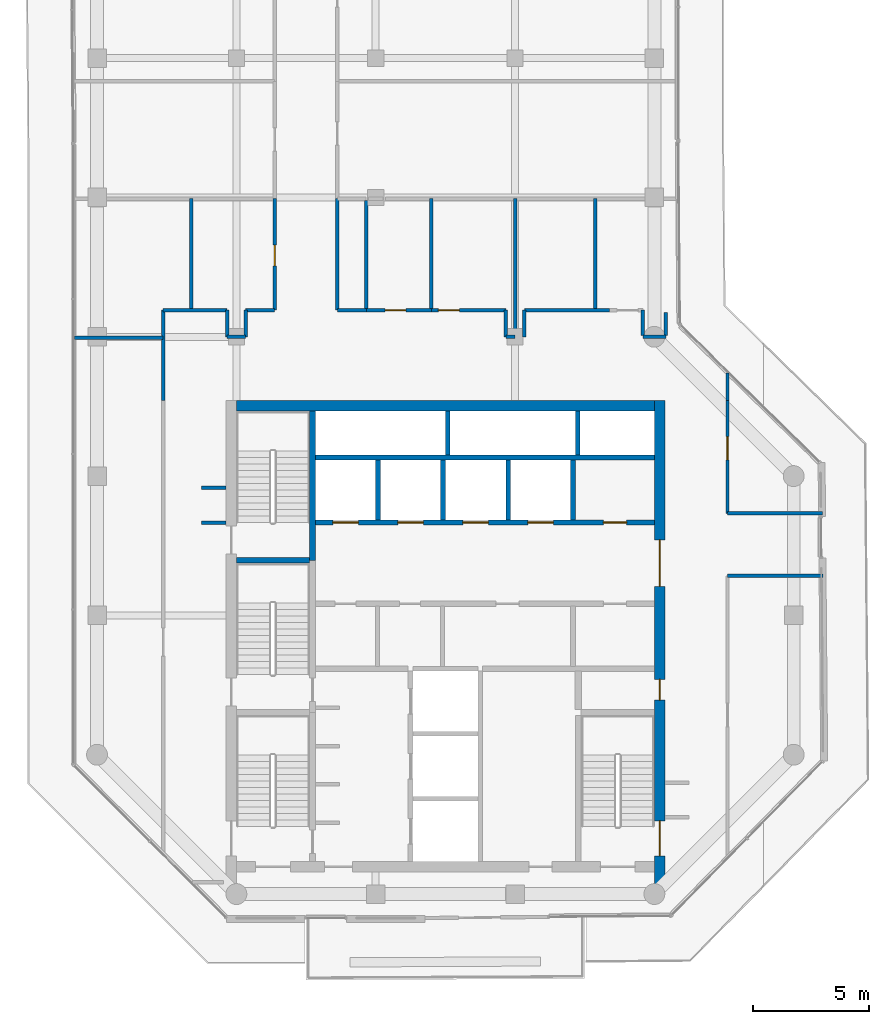
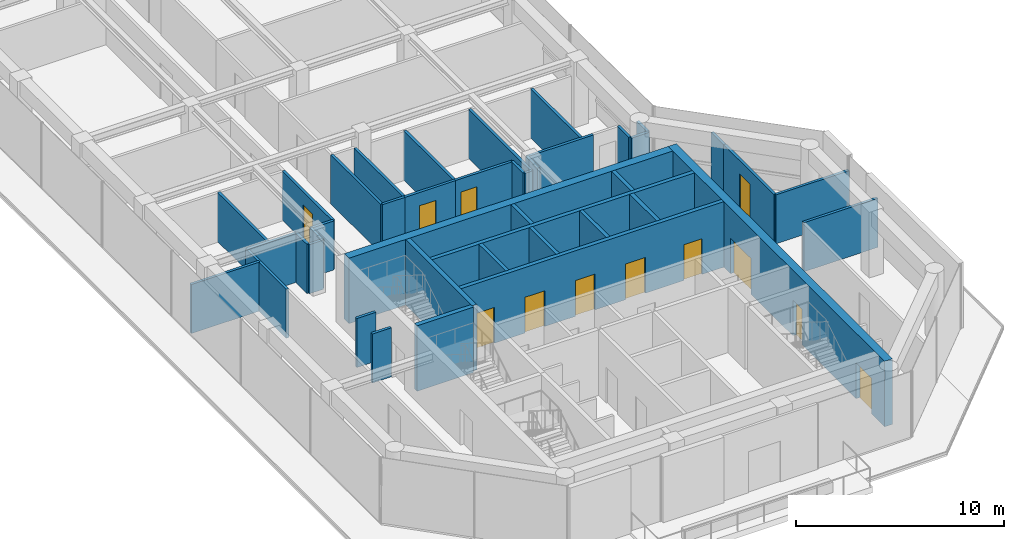
# One storey, part 15 of 19: 42 walls, 12 doors, 12 openings.
"""IFC4 building model written with IfcOpenShell, lengths in metres."""

from ifc_helpers import new_model, si_unit, direction, frame, frame_2d, origin, place, context, subcontext, project, spatial, rectangle, extrude, material, layer, layer_set, type_object, element, fill, save


model = new_model("IFC4")

# Units and contexts
model_context = context("Model", 3, precision=1e-05, world=origin(), true_north=direction((0.0, 1.0)))
body_context = subcontext(model_context, "Body", "Model", "MODEL_VIEW")
ifc_project = project(units=[si_unit("LENGTHUNIT", "METRE"), si_unit("AREAUNIT", "SQUARE_METRE"), si_unit("VOLUMEUNIT", "CUBIC_METRE"), si_unit("PLANEANGLEUNIT", "RADIAN"), si_unit("MASSUNIT", "GRAM", prefix="KILO")], contexts=[model_context])

# Site, building, storey
site_placement = place(None, origin())
site = spatial("IfcSite", under=ifc_project, at=site_placement, CompositionType="ELEMENT")
building_placement = place(site_placement, origin())
building = spatial("IfcBuilding", under=site, at=building_placement, Name="Welwitschia Terrace Campus", CompositionType="ELEMENT")
storey_placement = place(building_placement, frame((0.0, 0.0, 226.39990234375)))
storey = spatial("IfcBuildingStorey", under=building, at=storey_placement, Name="L50", CompositionType="ELEMENT", Elevation=226.39990234375)

# Wall, openings, doors
ifc_material_1 = material(Name="Concrete C32/40", Category="concrete")
ifc_layer_1 = layer(ifc_material_1, 0.22509765625)
ifc_layer_set_1 = layer_set([ifc_layer_1], Name="Concrete C32/40")
wall_type_1 = type_object("IfcWallType", Name="Core partition 225 Concrete C32/40", PredefinedType="PARTITIONING", material=ifc_layer_set_1)
wall_1_placement = place(storey_placement, frame((24.0, 20.0, 0.0), z_axis=(0.0, 0.0, 1.0), x_axis=(-1.0, 0.0, 0.0)))
wall_1 = element("IfcWall", 1, at=wall_1_placement, inside=storey, type_object=wall_type_1, Name="Shaft wall", PredefinedType="PARTITIONING", context=body_context, shape_type="SweptSolid", body=[
    extrude(rectangle(XDim=14.60009765625, YDim=0.22509765625, at=frame_2d((7.300048828125, 0.0))), origin(), (0.0, 0.0, 1.0), 3.85009765625),
])
opening_1_placement = place(wall_1_placement, frame((12.75, 0.0, 0.0)))
opening_1 = element("IfcOpeningElement", 2, at=opening_1_placement, cuts=wall_1, Name="Opening LD", PredefinedType="OPENING", context=body_context, shape_type="SweptSolid", body=[
    extrude(rectangle(XDim=1.10009765625, YDim=2.10009765625, at=frame_2d((0.550048828125, 1.050048828125))), frame((0.0, 0.12255859375, 0.0), z_axis=(0.0, -1.0, 0.0), x_axis=(1.0, 0.0, 0.0)), (0.0, 0.0, 1.0), 0.2451171875),
])
opening_2_placement = place(wall_1_placement, frame((9.949951171875, 0.0, 0.0)))
opening_2 = element("IfcOpeningElement", 3, at=opening_2_placement, cuts=wall_1, Name="Opening LD", PredefinedType="OPENING", context=body_context, shape_type="SweptSolid", body=[
    extrude(rectangle(XDim=1.10009765625, YDim=2.10009765625, at=frame_2d((0.550048828125, 1.050048828125))), frame((0.0, 0.12255859375, 0.0), z_axis=(0.0, -1.0, 0.0), x_axis=(1.0, 0.0, 0.0)), (0.0, 0.0, 1.0), 0.2451171875),
])
opening_3_placement = place(wall_1_placement, frame((7.14990234375, 0.0, 0.0)))
opening_3 = element("IfcOpeningElement", 4, at=opening_3_placement, cuts=wall_1, Name="Opening LD", PredefinedType="OPENING", context=body_context, shape_type="SweptSolid", body=[
    extrude(rectangle(XDim=1.10009765625, YDim=2.10009765625, at=frame_2d((0.550048828125, 1.050048828125))), frame((0.0, 0.12255859375, 0.0), z_axis=(0.0, -1.0, 0.0), x_axis=(1.0, 0.0, 0.0)), (0.0, 0.0, 1.0), 0.2451171875),
])
opening_4_placement = place(wall_1_placement, frame((4.35009765625, 0.0, 0.0)))
opening_4 = element("IfcOpeningElement", 5, at=opening_4_placement, cuts=wall_1, Name="Opening LD", PredefinedType="OPENING", context=body_context, shape_type="SweptSolid", body=[
    extrude(rectangle(XDim=1.10009765625, YDim=2.10009765625, at=frame_2d((0.550048828125, 1.050048828125))), frame((0.0, 0.12255859375, 0.0), z_axis=(0.0, -1.0, 0.0), x_axis=(1.0, 0.0, 0.0)), (0.0, 0.0, 1.0), 0.2451171875),
])
opening_5_placement = place(wall_1_placement, frame((1.199951171875, 0.0, 0.0)))
opening_5 = element("IfcOpeningElement", 6, at=opening_5_placement, cuts=wall_1, Name="Opening DR10", PredefinedType="OPENING", context=body_context, shape_type="SweptSolid", body=[
    extrude(rectangle(XDim=1.0, YDim=2.10009765625, at=frame_2d((0.5, 1.050048828125))), frame((0.0, 0.12255859375, 0.0), z_axis=(0.0, -1.0, 0.0), x_axis=(1.0, 0.0, 0.0)), (0.0, 0.0, 1.0), 0.2451171875),
])
ifc_material_2 = material(Name="Steel S275", Category="steel")
door_type_1 = type_object("IfcDoorType", Name="Core door DR10", OperationType="SINGLE_SWING_LEFT", PredefinedType="DOOR", material=ifc_material_2)
door_1_placement = place(opening_5_placement, origin())
door_1 = element("IfcDoor", 7, at=door_1_placement, inside=storey, type_object=door_type_1, Name="Door EH-D", OperationType="SINGLE_SWING_LEFT", OverallHeight=2.10009765625, OverallWidth=1.0, PredefinedType="DOOR", context=body_context, shape_type="SweptSolid", body=[
    extrude(rectangle(XDim=1.0, YDim=2.10009765625, at=frame_2d((0.5, 1.050048828125))), frame((0.0, 0.02490234375, 0.0), z_axis=(0.0, -1.0, 0.0), x_axis=(1.0, 0.0, 0.0)), (0.0, 0.0, 1.0), 0.050048828125),
])
fill(opening_5, door_1)
ifc_material_3 = material(Name="Stainless steel 304", Category="steel")
door_type_2 = type_object("IfcDoorType", Name="Lift landing door", OperationType="DOUBLE_DOOR_SLIDING", PredefinedType="DOOR", material=ifc_material_3)
door_2_placement = place(opening_1_placement, origin())
door_2 = element("IfcDoor", 8, at=door_2_placement, inside=storey, type_object=door_type_2, Name="Landing door HR1", OperationType="DOUBLE_DOOR_SLIDING", OverallHeight=2.10009765625, OverallWidth=1.10009765625, PredefinedType="DOOR", context=body_context, shape_type="SweptSolid", body=[
    extrude(rectangle(XDim=1.10009765625, YDim=2.10009765625, at=frame_2d((0.550048828125, 1.050048828125))), frame((0.0, 0.02490234375, 0.0), z_axis=(0.0, -1.0, 0.0), x_axis=(1.0, 0.0, 0.0)), (0.0, 0.0, 1.0), 0.050048828125),
])
fill(opening_1, door_2)
door_3_placement = place(opening_2_placement, origin())
door_3 = element("IfcDoor", 9, at=door_3_placement, inside=storey, type_object=door_type_2, Name="Landing door HR2", OperationType="DOUBLE_DOOR_SLIDING", OverallHeight=2.10009765625, OverallWidth=1.10009765625, PredefinedType="DOOR", context=body_context, shape_type="SweptSolid", body=[
    extrude(rectangle(XDim=1.10009765625, YDim=2.10009765625, at=frame_2d((0.550048828125, 1.050048828125))), frame((0.0, 0.02490234375, 0.0), z_axis=(0.0, -1.0, 0.0), x_axis=(1.0, 0.0, 0.0)), (0.0, 0.0, 1.0), 0.050048828125),
])
fill(opening_2, door_3)
door_4_placement = place(opening_3_placement, origin())
door_4 = element("IfcDoor", 10, at=door_4_placement, inside=storey, type_object=door_type_2, Name="Landing door HR3", OperationType="DOUBLE_DOOR_SLIDING", OverallHeight=2.10009765625, OverallWidth=1.10009765625, PredefinedType="DOOR", context=body_context, shape_type="SweptSolid", body=[
    extrude(rectangle(XDim=1.10009765625, YDim=2.10009765625, at=frame_2d((0.550048828125, 1.050048828125))), frame((0.0, 0.02490234375, 0.0), z_axis=(0.0, -1.0, 0.0), x_axis=(1.0, 0.0, 0.0)), (0.0, 0.0, 1.0), 0.050048828125),
])
fill(opening_3, door_4)
door_5_placement = place(opening_4_placement, origin())
door_5 = element("IfcDoor", 11, at=door_5_placement, inside=storey, type_object=door_type_2, Name="Landing door HR4", OperationType="DOUBLE_DOOR_SLIDING", OverallHeight=2.10009765625, OverallWidth=1.10009765625, PredefinedType="DOOR", context=body_context, shape_type="SweptSolid", body=[
    extrude(rectangle(XDim=1.10009765625, YDim=2.10009765625, at=frame_2d((0.550048828125, 1.050048828125))), frame((0.0, 0.02490234375, 0.0), z_axis=(0.0, -1.0, 0.0), x_axis=(1.0, 0.0, 0.0)), (0.0, 0.0, 1.0), 0.050048828125),
])
fill(opening_4, door_5)

# Walls
wall_2_placement = place(storey_placement, frame((9.39990234375, 22.800048828125, 0.0), z_axis=(0.0, 0.0, 1.0), x_axis=(1.0, 0.0, 0.0)))
element("IfcWall", 12, at=wall_2_placement, inside=storey, type_object=wall_type_1, Name="Shaft wall", PredefinedType="PARTITIONING", context=body_context, shape_type="SweptSolid", body=[
    extrude(rectangle(XDim=14.60009765625, YDim=0.22509765625, at=frame_2d((7.300048828125, 0.0))), origin(), (0.0, 0.0, 1.0), 3.85009765625),
])
wall_3_placement = place(storey_placement, frame((20.5, 20.10009765625, 0.0), z_axis=(0.0, 0.0, 1.0), x_axis=(0.0, 1.0, 0.0)))
element("IfcWall", 13, at=wall_3_placement, inside=storey, type_object=wall_type_1, Name="Shaft wall", PredefinedType="PARTITIONING", context=body_context, shape_type="SweptSolid", body=[
    extrude(rectangle(XDim=2.599853515625, YDim=0.22509765625, at=frame_2d((1.2998046875, 0.0))), origin(), (0.0, 0.0, 1.0), 3.85009765625),
])
ifc_material_4 = material(Name="Concrete C50/60", Category="concrete")
ifc_layer_2 = layer(ifc_material_4, 0.199951171875)
ifc_layer_set_2 = layer_set([ifc_layer_2], Name="Concrete C50/60")
wall_type_2 = type_object("IfcWallType", Name="Core wall 200 Concrete C50/60", PredefinedType="SHEAR", material=ifc_layer_set_2)
for number, where, z_axis, x_axis, name in (
    (14, (15.10009765625, 22.89990234375, 0.0), (0.0, 0.0, 1.0), (0.0, 1.0, 0.0), "Core wall"),
    (15, (20.699951171875, 22.89990234375, 0.0), (0.0, 0.0, 1.0), (0.0, 1.0, 0.0), "Core wall"),
):
    element("IfcWall", number, at=place(storey_placement, frame(where, z_axis=z_axis, x_axis=x_axis)), inside=storey, type_object=wall_type_2, Name=name, PredefinedType="SHEAR", context=body_context, shape_type="SweptSolid", body=[
        extrude(rectangle(XDim=1.900146484375, YDim=0.199951171875, at=frame_2d((0.9501953125, 0.0))), origin(), (0.0, 0.0, 1.0), 3.85009765625),
    ])
ifc_material_5 = material(Name="Concrete C50/60", Category="concrete")
ifc_layer_3 = layer(ifc_material_5, 0.25)
ifc_layer_set_3 = layer_set([ifc_layer_3], Name="Concrete C50/60")
wall_type_3 = type_object("IfcWallType", Name="Core wall 250 Concrete C50/60", PredefinedType="SHEAR", material=ifc_layer_set_3)
wall_4_placement = place(storey_placement, frame((6.0, 18.375, 0.0), z_axis=(0.0, 0.0, 1.0), x_axis=(1.0, 0.0, 0.0)))
element("IfcWall", 16, at=wall_4_placement, inside=storey, type_object=wall_type_3, Name="Core wall", PredefinedType="SHEAR", context=body_context, shape_type="SweptSolid", body=[
    extrude(rectangle(XDim=3.14990234375, YDim=0.25, at=frame_2d((1.574951171875, 0.0))), origin(), (0.0, 0.0, 1.0), 3.85009765625),
])
wall_5_placement = place(storey_placement, frame((9.27490234375, 18.375, 0.0), z_axis=(0.0, 0.0, 1.0), x_axis=(0.0, 1.0, 0.0)))
element("IfcWall", 17, at=wall_5_placement, inside=storey, type_object=wall_type_3, Name="Core wall", PredefinedType="SHEAR", context=body_context, shape_type="SweptSolid", body=[
    extrude(rectangle(XDim=6.425048828125, YDim=0.25, at=frame_2d((3.21240234375, 0.0))), origin(), (0.0, 0.0, 1.0), 3.85009765625),
])

# Wall, openings, doors
ifc_material_6 = material(Name="Concrete C60/75", Category="concrete")
ifc_layer_4 = layer(ifc_material_6, 0.449951171875)
ifc_layer_set_4 = layer_set([ifc_layer_4], Name="Concrete C60/75")
wall_type_4 = type_object("IfcWallType", Name="Core wall 450 Concrete C60/75", PredefinedType="SHEAR", material=ifc_layer_set_4)
wall_6_placement = place(storey_placement, frame((24.22509765625, 25.25, 0.0), z_axis=(0.0, 0.0, 1.0), x_axis=(0.0, -1.0, 0.0)))
wall_6 = element("IfcWall", 18, at=wall_6_placement, inside=storey, type_object=wall_type_4, Name="Core outer wall", PredefinedType="SHEAR", context=body_context, shape_type="SweptSolid", body=[
    extrude(rectangle(XDim=20.830078125, YDim=0.449951171875, at=frame_2d((10.4150390625, 0.0))), origin(), (0.0, 0.0, 1.0), 3.85009765625),
])
opening_6_placement = place(wall_6_placement, frame((18.10009765625, 0.0, 0.0)))
opening_6 = element("IfcOpeningElement", 19, at=opening_6_placement, cuts=wall_6, Name="Opening DS15", PredefinedType="OPENING", context=body_context, shape_type="SweptSolid", body=[
    extrude(rectangle(XDim=1.5, YDim=2.10009765625, at=frame_2d((0.75, 1.050048828125))), frame((0.0, 0.23486328125, 0.0), z_axis=(0.0, -1.0, 0.0), x_axis=(1.0, 0.0, 0.0)), (0.0, 0.0, 1.0), 0.469970703125),
])
opening_7_placement = place(wall_6_placement, frame((12.0, 0.0, 0.0)))
opening_7 = element("IfcOpeningElement", 20, at=opening_7_placement, cuts=wall_6, Name="Opening DR09", PredefinedType="OPENING", context=body_context, shape_type="SweptSolid", body=[
    extrude(rectangle(XDim=0.89990234375, YDim=2.10009765625, at=frame_2d((0.449951171875, 1.050048828125))), frame((0.0, 0.23486328125, 0.0), z_axis=(0.0, -1.0, 0.0), x_axis=(1.0, 0.0, 0.0)), (0.0, 0.0, 1.0), 0.469970703125),
])
opening_8_placement = place(wall_6_placement, frame((6.0, 0.0, 0.0)))
opening_8 = element("IfcOpeningElement", 21, at=opening_8_placement, cuts=wall_6, Name="Opening DL20", PredefinedType="OPENING", context=body_context, shape_type="SweptSolid", body=[
    extrude(rectangle(XDim=2.0, YDim=2.10009765625, at=frame_2d((1.0, 1.050048828125))), frame((0.0, 0.23486328125, 0.0), z_axis=(0.0, -1.0, 0.0), x_axis=(1.0, 0.0, 0.0)), (0.0, 0.0, 1.0), 0.469970703125),
])
ifc_material_7 = material(Name="Steel S275", Category="steel")
door_type_3 = type_object("IfcDoorType", Name="Core door DL20", OperationType="DOUBLE_DOOR_SINGLE_SWING", PredefinedType="DOOR", material=ifc_material_7)
door_6_placement = place(opening_8_placement, origin())
door_6 = element("IfcDoor", 22, at=door_6_placement, inside=storey, type_object=door_type_3, Name="Door LOBBY-out", OperationType="DOUBLE_DOOR_SINGLE_SWING", OverallHeight=2.10009765625, OverallWidth=2.0, PredefinedType="DOOR", context=body_context, shape_type="SweptSolid", body=[
    extrude(rectangle(XDim=2.0, YDim=2.10009765625, at=frame_2d((1.0, 1.050048828125))), frame((0.0, 0.02490234375, 0.0), z_axis=(0.0, -1.0, 0.0), x_axis=(1.0, 0.0, 0.0)), (0.0, 0.0, 1.0), 0.050048828125),
])
fill(opening_8, door_6)
ifc_material_8 = material(Name="Steel S275", Category="steel")
door_type_4 = type_object("IfcDoorType", Name="Core door DR09", OperationType="SINGLE_SWING_LEFT", PredefinedType="DOOR", material=ifc_material_8)
door_7_placement = place(opening_7_placement, origin())
door_7 = element("IfcDoor", 23, at=door_7_placement, inside=storey, type_object=door_type_4, Name="Door F1B-out", OperationType="SINGLE_SWING_RIGHT", OverallHeight=2.10009765625, OverallWidth=0.89990234375, PredefinedType="DOOR", context=body_context, shape_type="SweptSolid", body=[
    extrude(rectangle(XDim=0.89990234375, YDim=2.10009765625, at=frame_2d((0.449951171875, 1.050048828125))), frame((0.0, 0.02490234375, 0.0), z_axis=(0.0, -1.0, 0.0), x_axis=(1.0, 0.0, 0.0)), (0.0, 0.0, 1.0), 0.050048828125),
])
fill(opening_7, door_7)
ifc_material_9 = material(Name="Steel S275", Category="steel")
door_type_5 = type_object("IfcDoorType", Name="Core door DS15", OperationType="DOUBLE_DOOR_SINGLE_SWING", PredefinedType="DOOR", material=ifc_material_9)
door_8_placement = place(opening_6_placement, origin())
door_8 = element("IfcDoor", 24, at=door_8_placement, inside=storey, type_object=door_type_5, Name="Door S2-out", OperationType="DOUBLE_DOOR_SINGLE_SWING", OverallHeight=2.10009765625, OverallWidth=1.5, PredefinedType="DOOR", context=body_context, shape_type="SweptSolid", body=[
    extrude(rectangle(XDim=1.5, YDim=2.10009765625, at=frame_2d((0.75, 1.050048828125))), frame((0.0, 0.02490234375, 0.0), z_axis=(0.0, -1.0, 0.0), x_axis=(1.0, 0.0, 0.0)), (0.0, 0.0, 1.0), 0.050048828125),
])
fill(opening_6, door_8)

# Walls
wall_7_placement = place(storey_placement, frame((6.0, 25.02490234375, 0.0), z_axis=(0.0, 0.0, 1.0), x_axis=(1.0, 0.0, 0.0)))
element("IfcWall", 25, at=wall_7_placement, inside=storey, type_object=wall_type_4, Name="Core outer wall", PredefinedType="SHEAR", context=body_context, shape_type="SweptSolid", body=[
    extrude(rectangle(XDim=18.0, YDim=0.449951171875, at=frame_2d((9.0, 0.0))), origin(), (0.0, 0.0, 1.0), 3.85009765625),
])
ifc_material_10 = material(Name="Gypsum board on steel studs", Category="steel")
ifc_layer_5 = layer(ifc_material_10, 0.14990234375)
ifc_layer_set_5 = layer_set([ifc_layer_5], Name="Gypsum board on steel studs")
wall_type_5 = type_object("IfcWallType", Name="Corridor partition 150 EI 30", PredefinedType="PARTITIONING", material=ifc_layer_set_5)
wall_8_placement = place(storey_placement, frame((-0.97998046875, 27.949951171875, 0.0), z_axis=(0.0, 0.0, 1.0), x_axis=(1.0, 0.0, 0.0)))
element("IfcWall", 26, at=wall_8_placement, inside=storey, type_object=wall_type_5, Name="Partition", PredefinedType="PARTITIONING", context=body_context, shape_type="SweptSolid", body=[
    extrude(rectangle(XDim=3.830078125, YDim=0.14990234375, at=frame_2d((1.9150390625, 0.0))), origin(), (0.0, 0.0, 1.0), 2.880126953125),
])
wall_9_placement = place(storey_placement, frame((2.85009765625, 25.25, 0.0), z_axis=(0.0, 0.0, 1.0), x_axis=(0.0, 1.0, 0.0)))
element("IfcWall", 27, at=wall_9_placement, inside=storey, type_object=wall_type_5, Name="Partition", PredefinedType="PARTITIONING", context=body_context, shape_type="SweptSolid", body=[
    extrude(rectangle(XDim=3.89990234375, YDim=0.14990234375, at=frame_2d((1.949951171875, 0.0))), origin(), (0.0, 0.0, 1.0), 2.880126953125),
])
wall_10_placement = place(storey_placement, frame((2.85009765625, 29.14990234375, 0.0), z_axis=(0.0, 0.0, 1.0), x_axis=(1.0, 0.0, 0.0)))
element("IfcWall", 28, at=wall_10_placement, inside=storey, type_object=wall_type_5, Name="Partition", PredefinedType="PARTITIONING", context=body_context, shape_type="SweptSolid", body=[
    extrude(rectangle(XDim=2.75, YDim=0.14990234375, at=frame_2d((1.375, 0.0))), origin(), (0.0, 0.0, 1.0), 2.880126953125),
])
wall_11_placement = place(storey_placement, frame((4.050048828125, 29.14990234375, 0.0), z_axis=(0.0, 0.0, 1.0), x_axis=(0.0, 1.0, 0.0)))
element("IfcWall", 29, at=wall_11_placement, inside=storey, type_object=wall_type_5, Name="Partition", PredefinedType="PARTITIONING", context=body_context, shape_type="SweptSolid", body=[
    extrude(rectangle(XDim=4.800048828125, YDim=0.14990234375, at=frame_2d((2.39990234375, 0.0))), origin(), (0.0, 0.0, 1.0), 2.880126953125),
])
for number, where, z_axis, x_axis, name in (
    (30, (4.5, 20.0, 0.0), (0.0, 0.0, 1.0), (1.0, 0.0, 0.0), "Partition"),
    (31, (4.5, 21.5, 0.0), (0.0, 0.0, 1.0), (1.0, 0.0, 0.0), "Partition"),
):
    element("IfcWall", number, at=place(storey_placement, frame(where, z_axis=z_axis, x_axis=x_axis)), inside=storey, type_object=wall_type_5, Name=name, PredefinedType="PARTITIONING", context=body_context, shape_type="SweptSolid", body=[
        extrude(rectangle(XDim=1.050048828125, YDim=0.14990234375, at=frame_2d((0.52490234375, 0.0))), origin(), (0.0, 0.0, 1.0), 2.880126953125),
    ])
wall_12_placement = place(storey_placement, frame((5.60009765625, 28.0, 0.0), z_axis=(0.0, 0.0, 1.0), x_axis=(0.0, 1.0, 0.0)))
element("IfcWall", 32, at=wall_12_placement, inside=storey, type_object=wall_type_5, Name="Partition", PredefinedType="PARTITIONING", context=body_context, shape_type="SweptSolid", body=[
    extrude(rectangle(XDim=1.14990234375, YDim=0.14990234375, at=frame_2d((0.574951171875, 0.0))), origin(), (0.0, 0.0, 1.0), 2.880126953125),
])
wall_13_placement = place(storey_placement, frame((5.60009765625, 28.0, 0.0), z_axis=(0.0, 0.0, 1.0), x_axis=(1.0, 0.0, 0.0)))
element("IfcWall", 33, at=wall_13_placement, inside=storey, type_object=wall_type_5, Name="Partition", PredefinedType="PARTITIONING", context=body_context, shape_type="SweptSolid", body=[
    extrude(rectangle(XDim=0.7998046875, YDim=0.14990234375, at=frame_2d((0.39990234375, 0.0))), origin(), (0.0, 0.0, 1.0), 2.880126953125),
])
wall_14_placement = place(storey_placement, frame((6.39990234375, 28.0, 0.0), z_axis=(0.0, 0.0, 1.0), x_axis=(0.0, 1.0, 0.0)))
element("IfcWall", 34, at=wall_14_placement, inside=storey, type_object=wall_type_5, Name="Partition", PredefinedType="PARTITIONING", context=body_context, shape_type="SweptSolid", body=[
    extrude(rectangle(XDim=1.14990234375, YDim=0.14990234375, at=frame_2d((0.574951171875, 0.0))), origin(), (0.0, 0.0, 1.0), 2.880126953125),
])
wall_15_placement = place(storey_placement, frame((6.39990234375, 29.14990234375, 0.0), z_axis=(0.0, 0.0, 1.0), x_axis=(1.0, 0.0, 0.0)))
element("IfcWall", 35, at=wall_15_placement, inside=storey, type_object=wall_type_5, Name="Partition", PredefinedType="PARTITIONING", context=body_context, shape_type="SweptSolid", body=[
    extrude(rectangle(XDim=1.25, YDim=0.14990234375, at=frame_2d((0.625, 0.0))), origin(), (0.0, 0.0, 1.0), 2.880126953125),
])

# Wall, opening, door
wall_16_placement = place(storey_placement, frame((7.64990234375, 29.14990234375, 0.0), z_axis=(0.0, 0.0, 1.0), x_axis=(0.0, 1.0, 0.0)))
wall_16 = element("IfcWall", 36, at=wall_16_placement, inside=storey, type_object=wall_type_5, Name="Partition", PredefinedType="PARTITIONING", context=body_context, shape_type="SweptSolid", body=[
    extrude(rectangle(XDim=4.800048828125, YDim=0.14990234375, at=frame_2d((2.39990234375, 0.0))), origin(), (0.0, 0.0, 1.0), 2.880126953125),
])
opening_9_placement = place(wall_16_placement, frame((1.89990234375, 0.0, 0.0)))
opening_9 = element("IfcOpeningElement", 37, at=opening_9_placement, cuts=wall_16, Name="Opening DI09", PredefinedType="OPENING", context=body_context, shape_type="SweptSolid", body=[
    extrude(rectangle(XDim=0.89990234375, YDim=2.10009765625, at=frame_2d((0.449951171875, 1.050048828125))), frame((0.0, 0.0849609375, 0.0), z_axis=(0.0, -1.0, 0.0), x_axis=(1.0, 0.0, 0.0)), (0.0, 0.0, 1.0), 0.169921875),
])
ifc_material_11 = material(Name="Timber veneered door", Category="wood")
door_type_6 = type_object("IfcDoorType", Name="Interior door DI09", OperationType="NOTDEFINED", PredefinedType="DOOR", material=ifc_material_11)
door_9_placement = place(opening_9_placement, origin())
door_9 = element("IfcDoor", 38, at=door_9_placement, inside=storey, type_object=door_type_6, Name="Door L50 932", OperationType="SINGLE_SWING_LEFT", OverallHeight=2.10009765625, OverallWidth=0.89990234375, PredefinedType="DOOR", context=body_context, shape_type="SweptSolid", body=[
    extrude(rectangle(XDim=0.89990234375, YDim=2.10009765625, at=frame_2d((0.449951171875, 1.050048828125))), frame((0.0, 0.02490234375, 0.0), z_axis=(0.0, -1.0, 0.0), x_axis=(1.0, 0.0, 0.0)), (0.0, 0.0, 1.0), 0.050048828125),
])
fill(opening_9, door_9)

# Walls
wall_17_placement = place(storey_placement, frame((10.35009765625, 29.14990234375, 0.0), z_axis=(0.0, 0.0, 1.0), x_axis=(0.0, 1.0, 0.0)))
element("IfcWall", 39, at=wall_17_placement, inside=storey, type_object=wall_type_5, Name="Partition", PredefinedType="PARTITIONING", context=body_context, shape_type="SweptSolid", body=[
    extrude(rectangle(XDim=4.800048828125, YDim=0.14990234375, at=frame_2d((2.39990234375, 0.0))), origin(), (0.0, 0.0, 1.0), 2.880126953125),
])
wall_18_placement = place(storey_placement, frame((10.35009765625, 29.14990234375, 0.0), z_axis=(0.0, 0.0, 1.0), x_axis=(1.0, 0.0, 0.0)))
element("IfcWall", 40, at=wall_18_placement, inside=storey, type_object=wall_type_5, Name="Partition", PredefinedType="PARTITIONING", context=body_context, shape_type="SweptSolid", body=[
    extrude(rectangle(XDim=1.25, YDim=0.14990234375, at=frame_2d((0.625, 0.0))), origin(), (0.0, 0.0, 1.0), 2.880126953125),
])
wall_19_placement = place(storey_placement, frame((11.60009765625, 29.14990234375, 0.0), z_axis=(0.0, 0.0, 1.0), x_axis=(0.0, 1.0, 0.0)))
element("IfcWall", 41, at=wall_19_placement, inside=storey, type_object=wall_type_5, Name="Partition", PredefinedType="PARTITIONING", context=body_context, shape_type="SweptSolid", body=[
    extrude(rectangle(XDim=4.72021484375, YDim=0.14990234375, at=frame_2d((2.360107421875, 0.0))), origin(), (0.0, 0.0, 1.0), 2.880126953125),
])

# Wall, opening, door
wall_20_placement = place(storey_placement, frame((11.60009765625, 29.14990234375, 0.0), z_axis=(0.0, 0.0, 1.0), x_axis=(1.0, 0.0, 0.0)))
wall_20 = element("IfcWall", 42, at=wall_20_placement, inside=storey, type_object=wall_type_5, Name="Partition", PredefinedType="PARTITIONING", context=body_context, shape_type="SweptSolid", body=[
    extrude(rectangle(XDim=2.7998046875, YDim=0.14990234375, at=frame_2d((1.39990234375, 0.0))), origin(), (0.0, 0.0, 1.0), 2.880126953125),
])
opening_10_placement = place(wall_20_placement, frame((0.800048828125, 0.0, 0.0)))
opening_10 = element("IfcOpeningElement", 43, at=opening_10_placement, cuts=wall_20, Name="Opening DI09", PredefinedType="OPENING", context=body_context, shape_type="SweptSolid", body=[
    extrude(rectangle(XDim=0.89990234375, YDim=2.10009765625, at=frame_2d((0.449951171875, 1.050048828125))), frame((0.0, 0.0849609375, 0.0), z_axis=(0.0, -1.0, 0.0), x_axis=(1.0, 0.0, 0.0)), (0.0, 0.0, 1.0), 0.169921875),
])
door_10_placement = place(opening_10_placement, origin())
door_10 = element("IfcDoor", 44, at=door_10_placement, inside=storey, type_object=door_type_6, Name="Door L50 943", OperationType="SINGLE_SWING_RIGHT", OverallHeight=2.10009765625, OverallWidth=0.89990234375, PredefinedType="DOOR", context=body_context, shape_type="SweptSolid", body=[
    extrude(rectangle(XDim=0.89990234375, YDim=2.10009765625, at=frame_2d((0.449951171875, 1.050048828125))), frame((0.0, 0.02490234375, 0.0), z_axis=(0.0, -1.0, 0.0), x_axis=(1.0, 0.0, 0.0)), (0.0, 0.0, 1.0), 0.050048828125),
])
fill(opening_10, door_10)

# Wall
wall_21_placement = place(storey_placement, frame((14.39990234375, 29.14990234375, 0.0), z_axis=(0.0, 0.0, 1.0), x_axis=(0.0, 1.0, 0.0)))
element("IfcWall", 45, at=wall_21_placement, inside=storey, type_object=wall_type_5, Name="Partition", PredefinedType="PARTITIONING", context=body_context, shape_type="SweptSolid", body=[
    extrude(rectangle(XDim=4.800048828125, YDim=0.14990234375, at=frame_2d((2.39990234375, 0.0))), origin(), (0.0, 0.0, 1.0), 2.880126953125),
])

# Wall, opening, door
wall_22_placement = place(storey_placement, frame((14.39990234375, 29.14990234375, 0.0), z_axis=(0.0, 0.0, 1.0), x_axis=(1.0, 0.0, 0.0)))
wall_22 = element("IfcWall", 46, at=wall_22_placement, inside=storey, type_object=wall_type_5, Name="Partition", PredefinedType="PARTITIONING", context=body_context, shape_type="SweptSolid", body=[
    extrude(rectangle(XDim=3.2001953125, YDim=0.14990234375, at=frame_2d((1.60009765625, 0.0))), origin(), (0.0, 0.0, 1.0), 2.880126953125),
])
opening_11_placement = place(wall_22_placement, frame((0.300048828125, 0.0, 0.0)))
opening_11 = element("IfcOpeningElement", 47, at=opening_11_placement, cuts=wall_22, Name="Opening DI09", PredefinedType="OPENING", context=body_context, shape_type="SweptSolid", body=[
    extrude(rectangle(XDim=0.89990234375, YDim=2.10009765625, at=frame_2d((0.449951171875, 1.050048828125))), frame((0.0, 0.0849609375, 0.0), z_axis=(0.0, -1.0, 0.0), x_axis=(1.0, 0.0, 0.0)), (0.0, 0.0, 1.0), 0.169921875),
])
door_11_placement = place(opening_11_placement, origin())
door_11 = element("IfcDoor", 48, at=door_11_placement, inside=storey, type_object=door_type_6, Name="Door L50 944", OperationType="SINGLE_SWING_LEFT", OverallHeight=2.10009765625, OverallWidth=0.89990234375, PredefinedType="DOOR", context=body_context, shape_type="SweptSolid", body=[
    extrude(rectangle(XDim=0.89990234375, YDim=2.10009765625, at=frame_2d((0.449951171875, 1.050048828125))), frame((0.0, 0.02490234375, 0.0), z_axis=(0.0, -1.0, 0.0), x_axis=(1.0, 0.0, 0.0)), (0.0, 0.0, 1.0), 0.050048828125),
])
fill(opening_11, door_11)

# Walls
wall_23_placement = place(storey_placement, frame((17.60009765625, 28.0, 0.0), z_axis=(0.0, 0.0, 1.0), x_axis=(0.0, 1.0, 0.0)))
element("IfcWall", 49, at=wall_23_placement, inside=storey, type_object=wall_type_5, Name="Partition", PredefinedType="PARTITIONING", context=body_context, shape_type="SweptSolid", body=[
    extrude(rectangle(XDim=1.14990234375, YDim=0.14990234375, at=frame_2d((0.574951171875, 0.0))), origin(), (0.0, 0.0, 1.0), 2.880126953125),
])
wall_24_placement = place(storey_placement, frame((17.60009765625, 28.0, 0.0), z_axis=(0.0, 0.0, 1.0), x_axis=(1.0, 0.0, 0.0)))
element("IfcWall", 50, at=wall_24_placement, inside=storey, type_object=wall_type_5, Name="Partition", PredefinedType="PARTITIONING", context=body_context, shape_type="SweptSolid", body=[
    extrude(rectangle(XDim=0.39990234375, YDim=0.14990234375, at=frame_2d((0.199951171875, 0.0))), origin(), (0.0, 0.0, 1.0), 2.880126953125),
])
wall_25_placement = place(storey_placement, frame((18.0, 28.0, 0.0), z_axis=(0.0, 0.0, 1.0), x_axis=(0.0, 1.0, 0.0)))
element("IfcWall", 51, at=wall_25_placement, inside=storey, type_object=wall_type_5, Name="Partition", PredefinedType="PARTITIONING", context=body_context, shape_type="SweptSolid", body=[
    extrude(rectangle(XDim=5.949951171875, YDim=0.14990234375, at=frame_2d((2.97509765625, 0.0))), origin(), (0.0, 0.0, 1.0), 2.880126953125),
])
wall_26_placement = place(storey_placement, frame((18.39990234375, 28.0, 0.0), z_axis=(0.0, 0.0, 1.0), x_axis=(0.0, 1.0, 0.0)))
element("IfcWall", 52, at=wall_26_placement, inside=storey, type_object=wall_type_5, Name="Partition", PredefinedType="PARTITIONING", context=body_context, shape_type="SweptSolid", body=[
    extrude(rectangle(XDim=1.14990234375, YDim=0.14990234375, at=frame_2d((0.574951171875, 0.0))), origin(), (0.0, 0.0, 1.0), 2.880126953125),
])
wall_27_placement = place(storey_placement, frame((18.39990234375, 29.14990234375, 0.0), z_axis=(0.0, 0.0, 1.0), x_axis=(1.0, 0.0, 0.0)))
element("IfcWall", 53, at=wall_27_placement, inside=storey, type_object=wall_type_5, Name="Partition", PredefinedType="PARTITIONING", context=body_context, shape_type="SweptSolid", body=[
    extrude(rectangle(XDim=3.670166015625, YDim=0.14990234375, at=frame_2d((1.8349609375, 0.0))), origin(), (0.0, 0.0, 1.0), 2.880126953125),
])
wall_28_placement = place(storey_placement, frame((21.449951171875, 29.14990234375, 0.0), z_axis=(0.0, 0.0, 1.0), x_axis=(0.0, 1.0, 0.0)))
element("IfcWall", 54, at=wall_28_placement, inside=storey, type_object=wall_type_5, Name="Partition", PredefinedType="PARTITIONING", context=body_context, shape_type="SweptSolid", body=[
    extrude(rectangle(XDim=4.800048828125, YDim=0.14990234375, at=frame_2d((2.39990234375, 0.0))), origin(), (0.0, 0.0, 1.0), 2.880126953125),
])
wall_29_placement = place(storey_placement, frame((23.5, 28.0, 0.0), z_axis=(0.0, 0.0, 1.0), x_axis=(1.0, 0.0, 0.0)))
element("IfcWall", 55, at=wall_29_placement, inside=storey, type_object=wall_type_5, Name="Partition", PredefinedType="PARTITIONING", context=body_context, shape_type="SweptSolid", body=[
    extrude(rectangle(XDim=1.0, YDim=0.14990234375, at=frame_2d((0.5, 0.0))), origin(), (0.0, 0.0, 1.0), 2.880126953125),
])
wall_30_placement = place(storey_placement, frame((23.5, 28.050048828125, 0.0), z_axis=(0.0, 0.0, 1.0), x_axis=(0.0, 1.0, 0.0)))
element("IfcWall", 56, at=wall_30_placement, inside=storey, type_object=wall_type_5, Name="Partition", PredefinedType="PARTITIONING", context=body_context, shape_type="SweptSolid", body=[
    extrude(rectangle(XDim=1.099853515625, YDim=0.14990234375, at=frame_2d((0.5498046875, 0.0))), origin(), (0.0, 0.0, 1.0), 2.880126953125),
])
wall_31_placement = place(storey_placement, frame((24.5, 28.050048828125, 0.0), z_axis=(0.0, 0.0, 1.0), x_axis=(0.0, 1.0, 0.0)))
element("IfcWall", 57, at=wall_31_placement, inside=storey, type_object=wall_type_5, Name="Partition", PredefinedType="PARTITIONING", context=body_context, shape_type="SweptSolid", body=[
    extrude(rectangle(XDim=0.989990234375, YDim=0.14990234375, at=frame_2d((0.4951171875, 0.0))), origin(), (0.0, 0.0, 1.0), 2.880126953125),
])
wall_32_placement = place(storey_placement, frame((27.14990234375, 17.699951171875, 0.0), z_axis=(0.0, 0.0, 1.0), x_axis=(1.0, 0.0, 0.0)))
element("IfcWall", 58, at=wall_32_placement, inside=storey, type_object=wall_type_5, Name="Partition", PredefinedType="PARTITIONING", context=body_context, shape_type="SweptSolid", body=[
    extrude(rectangle(XDim=4.103759765625, YDim=0.14990234375, at=frame_2d((2.0517578125, 0.0))), origin(), (0.0, 0.0, 1.0), 2.880126953125),
])
wall_33_placement = place(storey_placement, frame((27.14990234375, 20.39990234375, 0.0), z_axis=(0.0, 0.0, 1.0), x_axis=(1.0, 0.0, 0.0)))
element("IfcWall", 59, at=wall_33_placement, inside=storey, type_object=wall_type_5, Name="Partition", PredefinedType="PARTITIONING", context=body_context, shape_type="SweptSolid", body=[
    extrude(rectangle(XDim=4.080322265625, YDim=0.14990234375, at=frame_2d((2.0400390625, 0.0))), origin(), (0.0, 0.0, 1.0), 2.880126953125),
])

# Wall, opening, door
wall_34_placement = place(storey_placement, frame((27.14990234375, 25.25, 0.0), z_axis=(0.0, 0.0, 1.0), x_axis=(0.0, -1.0, 0.0)))
wall_34 = element("IfcWall", 60, at=wall_34_placement, inside=storey, type_object=wall_type_5, Name="Partition", PredefinedType="PARTITIONING", context=body_context, shape_type="SweptSolid", body=[
    extrude(rectangle(XDim=4.85009765625, YDim=0.14990234375, at=frame_2d((2.425048828125, 0.0))), origin(), (0.0, 0.0, 1.0), 2.880126953125),
])
opening_12_placement = place(wall_34_placement, frame((1.550048828125, 0.0, 0.0)))
opening_12 = element("IfcOpeningElement", 61, at=opening_12_placement, cuts=wall_34, Name="Opening DI10", PredefinedType="OPENING", context=body_context, shape_type="SweptSolid", body=[
    extrude(rectangle(XDim=1.0, YDim=2.10009765625, at=frame_2d((0.5, 1.050048828125))), frame((0.0, 0.0849609375, 0.0), z_axis=(0.0, -1.0, 0.0), x_axis=(1.0, 0.0, 0.0)), (0.0, 0.0, 1.0), 0.169921875),
])
ifc_material_12 = material(Name="Timber veneered door", Category="wood")
door_type_7 = type_object("IfcDoorType", Name="Interior door DI10", OperationType="NOTDEFINED", PredefinedType="DOOR", material=ifc_material_12)
door_12_placement = place(opening_12_placement, origin())
door_12 = element("IfcDoor", 62, at=door_12_placement, inside=storey, type_object=door_type_7, Name="Door L50 947", OperationType="SINGLE_SWING_RIGHT", OverallHeight=2.10009765625, OverallWidth=1.0, PredefinedType="DOOR", context=body_context, shape_type="SweptSolid", body=[
    extrude(rectangle(XDim=1.0, YDim=2.10009765625, at=frame_2d((0.5, 1.050048828125))), frame((0.0, 0.02490234375, 0.0), z_axis=(0.0, -1.0, 0.0), x_axis=(1.0, 0.0, 0.0)), (0.0, 0.0, 1.0), 0.050048828125),
])
fill(opening_12, door_12)

# Walls
wall_35_placement = place(storey_placement, frame((27.14990234375, 25.25, 0.0), z_axis=(0.0, 0.0, 1.0), x_axis=(0.0, 1.0, 0.0)))
element("IfcWall", 63, at=wall_35_placement, inside=storey, type_object=wall_type_5, Name="Partition", PredefinedType="PARTITIONING", context=body_context, shape_type="SweptSolid", body=[
    extrude(rectangle(XDim=1.18994140625, YDim=0.14990234375, at=frame_2d((0.594970703125, 0.0))), origin(), (0.0, 0.0, 1.0), 2.880126953125),
])
ifc_material_13 = material(Name="Concrete C32/40", Category="concrete")
ifc_layer_6 = layer(ifc_material_13, 0.199951171875)
ifc_layer_set_6 = layer_set([ifc_layer_6], Name="Concrete C32/40")
wall_type_6 = type_object("IfcWallType", Name="Shaft wall 200 Concrete C32/40", PredefinedType="SOLIDWALL", material=ifc_layer_set_6)
for number, where, z_axis, x_axis, name in (
    (64, (12.10009765625, 20.10009765625, 0.0), (0.0, 0.0, 1.0), (0.0, 1.0, 0.0), "Shaft wall"),
    (65, (14.89990234375, 20.10009765625, 0.0), (0.0, 0.0, 1.0), (0.0, 1.0, 0.0), "Shaft wall"),
    (66, (17.699951171875, 20.10009765625, 0.0), (0.0, 0.0, 1.0), (0.0, 1.0, 0.0), "Shaft wall"),
):
    element("IfcWall", number, at=place(storey_placement, frame(where, z_axis=z_axis, x_axis=x_axis)), inside=storey, type_object=wall_type_6, Name=name, PredefinedType="SOLIDWALL", context=body_context, shape_type="SweptSolid", body=[
        extrude(rectangle(XDim=2.599853515625, YDim=0.199951171875, at=frame_2d((1.2998046875, 0.0))), origin(), (0.0, 0.0, 1.0), 3.85009765625),
    ])

save(model, "model.ifc")
